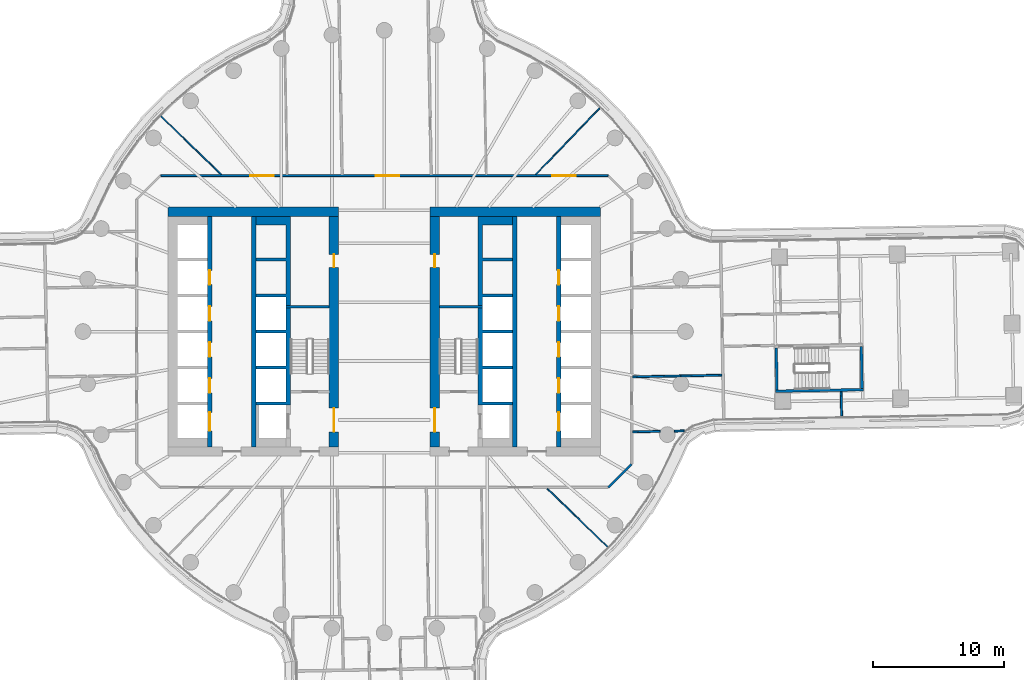
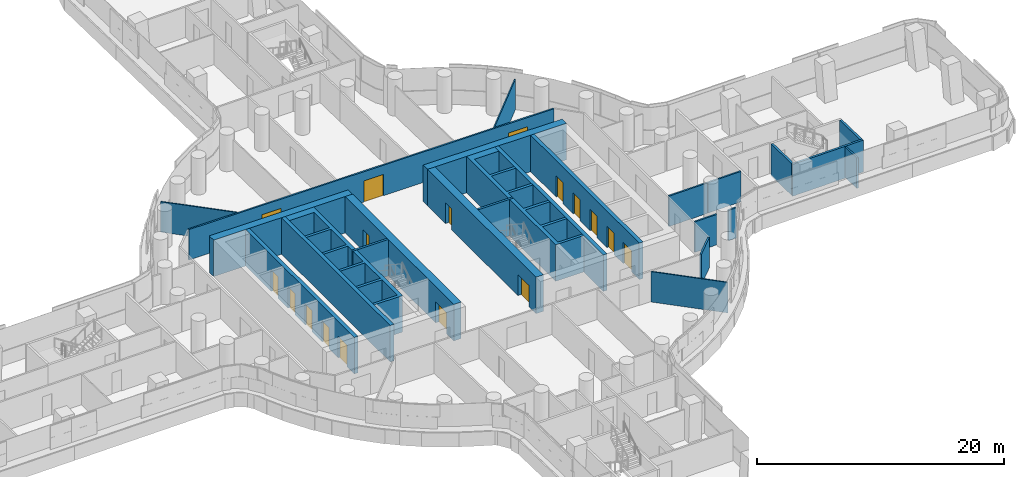
# One storey, part 21 of 31: 25 walls, 17 doors, 17 openings.
"""IFC4 building model written with IfcOpenShell, lengths in metres."""

from ifc_helpers import new_model, si_unit, direction, frame, frame_2d, origin, place, context, subcontext, project, spatial, polyline, rectangle, outline, extrude, material, layer, layer_set, type_object, element, fill, save


model = new_model("IFC4")

# Units and contexts
model_context = context("Model", 3, precision=1e-05, world=origin(), true_north=direction((0.0, 1.0)))
body_context = subcontext(model_context, "Body", "Model", "MODEL_VIEW")
ifc_project = project(units=[si_unit("LENGTHUNIT", "METRE"), si_unit("AREAUNIT", "SQUARE_METRE"), si_unit("VOLUMEUNIT", "CUBIC_METRE"), si_unit("PLANEANGLEUNIT", "RADIAN"), si_unit("MASSUNIT", "GRAM", prefix="KILO")], contexts=[model_context])

# Site, building, storey
site_placement = place(None, origin())
site = spatial("IfcSite", under=ifc_project, at=site_placement, CompositionType="ELEMENT")
building_placement = place(site_placement, origin())
building = spatial("IfcBuilding", under=site, at=building_placement, Name="Tamarind Cross Interchange Tower", CompositionType="ELEMENT")
storey_placement = place(building_placement, frame((0.0, 0.0, 37.75)))
storey = spatial("IfcBuildingStorey", under=building, at=storey_placement, Name="L07", CompositionType="ELEMENT", Elevation=37.75)

# Wall
ifc_material_1 = material(Name="Concrete C80", Category="concrete")
ifc_layer_1 = layer(ifc_material_1, 0.699951171875)
ifc_layer_set_1 = layer_set([ifc_layer_1], Name="Concrete C80")
wall_type_1 = type_object("IfcWallType", Name="Core wall 700 mm Concrete C80", PredefinedType="SHEAR", material=ifc_layer_set_1)
wall_1_placement = place(storey_placement, frame((-16.5, 9.14990234375, 0.0), z_axis=(0.0, 0.0, 1.0), x_axis=(1.0, 0.0, 0.0)))
element("IfcWall", 1, at=wall_1_placement, inside=storey, type_object=wall_type_1, Name="Core wall CWL-L07-W-NE", PredefinedType="SHEAR", context=body_context, shape_type="SweptSolid", body=[
    extrude(rectangle(XDim=13.0, YDim=0.699951171875, at=frame_2d((6.5, 0.0))), origin(), (0.0, 0.0, 1.0), 3.610107421875),
])

# Wall, openings, doors
wall_2_placement = place(storey_placement, frame((-3.85009765625, -8.800048828125, 0.0), z_axis=(0.0, 0.0, 1.0), x_axis=(0.0, 1.0, 0.0)))
wall_2 = element("IfcWall", 2, at=wall_2_placement, inside=storey, type_object=wall_type_1, Name="Core wall CWL-L07-W-IN", PredefinedType="SHEAR", context=body_context, shape_type="SweptSolid", body=[
    extrude(rectangle(XDim=17.60009765625, YDim=0.699951171875, at=frame_2d((8.800048828125, 0.0))), origin(), (0.0, 0.0, 1.0), 3.610107421875),
])
opening_1_placement = place(wall_2_placement, frame((1.14990234375, 0.0, 0.0)))
opening_1 = element("IfcOpeningElement", 3, at=opening_1_placement, cuts=wall_2, Name="Opening DCW4", PredefinedType="OPENING", context=body_context, shape_type="SweptSolid", body=[
    extrude(rectangle(XDim=1.800048828125, YDim=2.10009765625, at=frame_2d((0.89990234375, 1.050048828125))), frame((0.0, 0.35986328125, 0.0), z_axis=(0.0, -1.0, 0.0), x_axis=(1.0, 0.0, 0.0)), (0.0, 0.0, 1.0), 0.719970703125),
])
opening_2_placement = place(wall_2_placement, frame((13.699951171875, 0.0, 0.0)))
opening_2 = element("IfcOpeningElement", 4, at=opening_2_placement, cuts=wall_2, Name="Opening DCW5", PredefinedType="OPENING", context=body_context, shape_type="SweptSolid", body=[
    extrude(rectangle(XDim=1.0, YDim=2.10009765625, at=frame_2d((0.5, 1.050048828125))), frame((0.0, 0.35986328125, 0.0), z_axis=(0.0, -1.0, 0.0), x_axis=(1.0, 0.0, 0.0)), (0.0, 0.0, 1.0), 0.719970703125),
])
ifc_material_2 = material(Name="Steel, fire-resisting", Category="steel")
door_type_1 = type_object("IfcDoorType", Name="Core fire door 1000 x 2100 FD90", OperationType="SINGLE_SWING_LEFT", PredefinedType="DOOR", material=ifc_material_2)
door_1_placement = place(opening_2_placement, origin())
door_1 = element("IfcDoor", 5, at=door_1_placement, inside=storey, type_object=door_type_1, Name="L07 riser room door", OperationType="SINGLE_SWING_LEFT", OverallHeight=2.10009765625, OverallWidth=1.0, PredefinedType="DOOR", context=body_context, shape_type="SweptSolid", body=[
    extrude(rectangle(XDim=1.0, YDim=2.10009765625, at=frame_2d((0.5, 1.050048828125))), frame((0.0, 0.02490234375, 0.0), z_axis=(0.0, -1.0, 0.0), x_axis=(1.0, 0.0, 0.0)), (0.0, 0.0, 1.0), 0.050048828125),
])
fill(opening_2, door_1)
door_type_2 = type_object("IfcDoorType", Name="Core fire door 1800 x 2100 FD90", OperationType="SINGLE_SWING_LEFT", PredefinedType="DOOR", material=ifc_material_2)
door_2_placement = place(opening_1_placement, origin())
door_2 = element("IfcDoor", 6, at=door_2_placement, inside=storey, type_object=door_type_2, Name="L07 firefighting lobby door", OperationType="SINGLE_SWING_LEFT", OverallHeight=2.10009765625, OverallWidth=1.800048828125, PredefinedType="DOOR", context=body_context, shape_type="SweptSolid", body=[
    extrude(rectangle(XDim=1.800048828125, YDim=2.10009765625, at=frame_2d((0.89990234375, 1.050048828125))), frame((0.0, 0.02490234375, 0.0), z_axis=(0.0, -1.0, 0.0), x_axis=(1.0, 0.0, 0.0)), (0.0, 0.0, 1.0), 0.050048828125),
])
fill(opening_1, door_2)

# Wall
wall_3_placement = place(storey_placement, frame((16.5, 9.14990234375, 0.0), z_axis=(0.0, 0.0, 1.0), x_axis=(-1.0, 0.0, 0.0)))
element("IfcWall", 7, at=wall_3_placement, inside=storey, type_object=wall_type_1, Name="Core wall CWL-L07-E-NE", PredefinedType="SHEAR", context=body_context, shape_type="SweptSolid", body=[
    extrude(rectangle(XDim=13.0, YDim=0.699951171875, at=frame_2d((6.5, 0.0))), origin(), (0.0, 0.0, 1.0), 3.610107421875),
])

# Wall, openings, doors
wall_4_placement = place(storey_placement, frame((3.85009765625, -8.800048828125, 0.0), z_axis=(0.0, 0.0, 1.0), x_axis=(0.0, 1.0, 0.0)))
wall_4 = element("IfcWall", 8, at=wall_4_placement, inside=storey, type_object=wall_type_1, Name="Core wall CWL-L07-E-IN", PredefinedType="SHEAR", context=body_context, shape_type="SweptSolid", body=[
    extrude(rectangle(XDim=17.60009765625, YDim=0.699951171875, at=frame_2d((8.800048828125, 0.0))), origin(), (0.0, 0.0, 1.0), 3.610107421875),
])
opening_3_placement = place(wall_4_placement, frame((1.14990234375, 0.0, 0.0)))
opening_3 = element("IfcOpeningElement", 9, at=opening_3_placement, cuts=wall_4, Name="Opening DCE4", PredefinedType="OPENING", context=body_context, shape_type="SweptSolid", body=[
    extrude(rectangle(XDim=1.800048828125, YDim=2.10009765625, at=frame_2d((0.89990234375, 1.050048828125))), frame((0.0, 0.35986328125, 0.0), z_axis=(0.0, -1.0, 0.0), x_axis=(1.0, 0.0, 0.0)), (0.0, 0.0, 1.0), 0.719970703125),
])
opening_4_placement = place(wall_4_placement, frame((13.699951171875, 0.0, 0.0)))
opening_4 = element("IfcOpeningElement", 10, at=opening_4_placement, cuts=wall_4, Name="Opening DCE5", PredefinedType="OPENING", context=body_context, shape_type="SweptSolid", body=[
    extrude(rectangle(XDim=1.0, YDim=2.10009765625, at=frame_2d((0.5, 1.050048828125))), frame((0.0, 0.35986328125, 0.0), z_axis=(0.0, -1.0, 0.0), x_axis=(1.0, 0.0, 0.0)), (0.0, 0.0, 1.0), 0.719970703125),
])
door_3_placement = place(opening_4_placement, origin())
door_3 = element("IfcDoor", 11, at=door_3_placement, inside=storey, type_object=door_type_1, Name="L07 riser room door", OperationType="SINGLE_SWING_LEFT", OverallHeight=2.10009765625, OverallWidth=1.0, PredefinedType="DOOR", context=body_context, shape_type="SweptSolid", body=[
    extrude(rectangle(XDim=1.0, YDim=2.10009765625, at=frame_2d((0.5, 1.050048828125))), frame((0.0, 0.02490234375, 0.0), z_axis=(0.0, -1.0, 0.0), x_axis=(1.0, 0.0, 0.0)), (0.0, 0.0, 1.0), 0.050048828125),
])
fill(opening_4, door_3)
door_4_placement = place(opening_3_placement, origin())
door_4 = element("IfcDoor", 12, at=door_4_placement, inside=storey, type_object=door_type_2, Name="L07 firefighting lobby door", OperationType="SINGLE_SWING_LEFT", OverallHeight=2.10009765625, OverallWidth=1.800048828125, PredefinedType="DOOR", context=body_context, shape_type="SweptSolid", body=[
    extrude(rectangle(XDim=1.800048828125, YDim=2.10009765625, at=frame_2d((0.89990234375, 1.050048828125))), frame((0.0, 0.02490234375, 0.0), z_axis=(0.0, -1.0, 0.0), x_axis=(1.0, 0.0, 0.0)), (0.0, 0.0, 1.0), 0.050048828125),
])
fill(opening_3, door_4)

# Walls
ifc_layer_2 = layer(ifc_material_1, 0.199951171875)
ifc_layer_set_2 = layer_set([ifc_layer_2], Name="Concrete C80")
wall_type_2 = type_object("IfcWallType", Name="Core web wall 200 mm Concrete C80", PredefinedType="SHEAR", material=ifc_layer_set_2)
for number, where, z_axis, x_axis, name in (
    (13, (-7.5, 1.89990234375, 0.0), (0.0, 0.0, 1.0), (1.0, 0.0, 0.0), "Core wall CWL-L07-W-BD"),
    (14, (7.5, 1.89990234375, 0.0), (0.0, 0.0, 1.0), (-1.0, 0.0, 0.0), "Core wall CWL-L07-E-BD"),
):
    element("IfcWall", number, at=place(storey_placement, frame(where, z_axis=z_axis, x_axis=x_axis)), inside=storey, type_object=wall_type_2, Name=name, PredefinedType="SHEAR", context=body_context, shape_type="SweptSolid", body=[
        extrude(rectangle(XDim=3.300048828125, YDim=0.199951171875, at=frame_2d((1.64990234375, 0.0))), origin(), (0.0, 0.0, 1.0), 3.610107421875),
    ])
ifc_layer_3 = layer(ifc_material_1, 0.35009765625)
ifc_layer_set_3 = layer_set([ifc_layer_3], Name="Concrete C80")
wall_type_3 = type_object("IfcWallType", Name="Core web wall 350 mm Concrete C80", PredefinedType="SHEAR", material=ifc_layer_set_3)
wall_5_placement = place(storey_placement, origin())
element("IfcWall", 15, at=wall_5_placement, inside=storey, type_object=wall_type_3, Name="Core wall CWL-L07-W-BN", PredefinedType="SHEAR", context=body_context, shape_type="SweptSolid", body=[
    extrude(outline(polyline([(-9.800048828125, -5.375), (-9.800048828125, -5.625), (-7.5, -5.625), (-7.14990234375, -5.625), (-7.14990234375, 8.800048828125), (-7.5, 8.800048828125), (-9.800048828125, 8.800048828125), (-9.800048828125, 8.125), (-7.5, 8.125), (-7.5, 5.625), (-9.800048828125, 5.625), (-9.800048828125, 5.375), (-7.5, 5.375), (-7.5, 2.875), (-9.800048828125, 2.875), (-9.800048828125, 2.625), (-7.5, 2.625), (-7.5, 0.125), (-9.800048828125, 0.125), (-9.800048828125, -0.125), (-7.5, -0.125), (-7.5, -2.625), (-9.800048828125, -2.625), (-9.800048828125, -2.875), (-7.5, -2.875), (-7.5, -5.375), (-9.800048828125, -5.375)])), origin(), (0.0, 0.0, 1.0), 3.610107421875),
])

# Wall, openings, doors
wall_6_placement = place(storey_placement, frame((-13.324951171875, -8.800048828125, 0.0), z_axis=(0.0, 0.0, 1.0), x_axis=(0.0, 1.0, 0.0)))
wall_6 = element("IfcWall", 16, at=wall_6_placement, inside=storey, type_object=wall_type_3, Name="Core wall CWL-L07-W-LA", PredefinedType="SHEAR", context=body_context, shape_type="SweptSolid", body=[
    extrude(rectangle(XDim=17.60009765625, YDim=0.35009765625, at=frame_2d((8.800048828125, 0.0))), origin(), (0.0, 0.0, 1.0), 3.610107421875),
])
opening_5_placement = place(wall_6_placement, frame((1.22509765625, 0.0, 0.0)))
opening_5 = element("IfcOpeningElement", 17, at=opening_5_placement, cuts=wall_6, Name="Opening LD1L07", PredefinedType="OPENING", context=body_context, shape_type="SweptSolid", body=[
    extrude(rectangle(XDim=1.39990234375, YDim=2.10009765625, at=frame_2d((0.699951171875, 1.050048828125))), frame((0.0, 0.18505859375, 0.0), z_axis=(0.0, -1.0, 0.0), x_axis=(1.0, 0.0, 0.0)), (0.0, 0.0, 1.0), 0.3701171875),
])
opening_6_placement = place(wall_6_placement, frame((4.125, 0.0, 0.0)))
opening_6 = element("IfcOpeningElement", 18, at=opening_6_placement, cuts=wall_6, Name="Opening LD2L07", PredefinedType="OPENING", context=body_context, shape_type="SweptSolid", body=[
    extrude(rectangle(XDim=1.10009765625, YDim=2.10009765625, at=frame_2d((0.550048828125, 1.050048828125))), frame((0.0, 0.18505859375, 0.0), z_axis=(0.0, -1.0, 0.0), x_axis=(1.0, 0.0, 0.0)), (0.0, 0.0, 1.0), 0.3701171875),
])
opening_7_placement = place(wall_6_placement, frame((6.875, 0.0, 0.0)))
opening_7 = element("IfcOpeningElement", 19, at=opening_7_placement, cuts=wall_6, Name="Opening LD3L07", PredefinedType="OPENING", context=body_context, shape_type="SweptSolid", body=[
    extrude(rectangle(XDim=1.10009765625, YDim=2.10009765625, at=frame_2d((0.550048828125, 1.050048828125))), frame((0.0, 0.18505859375, 0.0), z_axis=(0.0, -1.0, 0.0), x_axis=(1.0, 0.0, 0.0)), (0.0, 0.0, 1.0), 0.3701171875),
])
opening_8_placement = place(wall_6_placement, frame((9.625, 0.0, 0.0)))
opening_8 = element("IfcOpeningElement", 20, at=opening_8_placement, cuts=wall_6, Name="Opening LD4L07", PredefinedType="OPENING", context=body_context, shape_type="SweptSolid", body=[
    extrude(rectangle(XDim=1.10009765625, YDim=2.10009765625, at=frame_2d((0.550048828125, 1.050048828125))), frame((0.0, 0.18505859375, 0.0), z_axis=(0.0, -1.0, 0.0), x_axis=(1.0, 0.0, 0.0)), (0.0, 0.0, 1.0), 0.3701171875),
])
opening_9_placement = place(wall_6_placement, frame((12.375, 0.0, 0.0)))
opening_9 = element("IfcOpeningElement", 21, at=opening_9_placement, cuts=wall_6, Name="Opening LD5L07", PredefinedType="OPENING", context=body_context, shape_type="SweptSolid", body=[
    extrude(rectangle(XDim=1.10009765625, YDim=2.10009765625, at=frame_2d((0.550048828125, 1.050048828125))), frame((0.0, 0.18505859375, 0.0), z_axis=(0.0, -1.0, 0.0), x_axis=(1.0, 0.0, 0.0)), (0.0, 0.0, 1.0), 0.3701171875),
])
ifc_material_3 = material(Name="Stainless steel panel", Category="steel")
door_type_3 = type_object("IfcDoorType", Name="Lift landing door 1100 x 2100 E 120", OperationType="SLIDING_TO_LEFT", PredefinedType="DOOR", material=ifc_material_3)
door_5_placement = place(opening_6_placement, origin())
door_5 = element("IfcDoor", 22, at=door_5_placement, inside=storey, type_object=door_type_3, Name="L07 landing door LF2", OperationType="SLIDING_TO_LEFT", OverallHeight=2.10009765625, OverallWidth=1.10009765625, PredefinedType="DOOR", context=body_context, shape_type="SweptSolid", body=[
    extrude(rectangle(XDim=1.10009765625, YDim=2.10009765625, at=frame_2d((0.550048828125, 1.050048828125))), frame((0.0, 0.02490234375, 0.0), z_axis=(0.0, -1.0, 0.0), x_axis=(1.0, 0.0, 0.0)), (0.0, 0.0, 1.0), 0.050048828125),
])
fill(opening_6, door_5)
door_6_placement = place(opening_7_placement, origin())
door_6 = element("IfcDoor", 23, at=door_6_placement, inside=storey, type_object=door_type_3, Name="L07 landing door LF3", OperationType="SLIDING_TO_LEFT", OverallHeight=2.10009765625, OverallWidth=1.10009765625, PredefinedType="DOOR", context=body_context, shape_type="SweptSolid", body=[
    extrude(rectangle(XDim=1.10009765625, YDim=2.10009765625, at=frame_2d((0.550048828125, 1.050048828125))), frame((0.0, 0.02490234375, 0.0), z_axis=(0.0, -1.0, 0.0), x_axis=(1.0, 0.0, 0.0)), (0.0, 0.0, 1.0), 0.050048828125),
])
fill(opening_7, door_6)
door_7_placement = place(opening_8_placement, origin())
door_7 = element("IfcDoor", 24, at=door_7_placement, inside=storey, type_object=door_type_3, Name="L07 landing door LF4", OperationType="SLIDING_TO_LEFT", OverallHeight=2.10009765625, OverallWidth=1.10009765625, PredefinedType="DOOR", context=body_context, shape_type="SweptSolid", body=[
    extrude(rectangle(XDim=1.10009765625, YDim=2.10009765625, at=frame_2d((0.550048828125, 1.050048828125))), frame((0.0, 0.02490234375, 0.0), z_axis=(0.0, -1.0, 0.0), x_axis=(1.0, 0.0, 0.0)), (0.0, 0.0, 1.0), 0.050048828125),
])
fill(opening_8, door_7)
door_8_placement = place(opening_9_placement, origin())
door_8 = element("IfcDoor", 25, at=door_8_placement, inside=storey, type_object=door_type_3, Name="L07 landing door LF5", OperationType="SLIDING_TO_LEFT", OverallHeight=2.10009765625, OverallWidth=1.10009765625, PredefinedType="DOOR", context=body_context, shape_type="SweptSolid", body=[
    extrude(rectangle(XDim=1.10009765625, YDim=2.10009765625, at=frame_2d((0.550048828125, 1.050048828125))), frame((0.0, 0.02490234375, 0.0), z_axis=(0.0, -1.0, 0.0), x_axis=(1.0, 0.0, 0.0)), (0.0, 0.0, 1.0), 0.050048828125),
])
fill(opening_9, door_8)
door_type_4 = type_object("IfcDoorType", Name="Lift landing door 1400 x 2100 E 120", OperationType="SLIDING_TO_LEFT", PredefinedType="DOOR", material=ifc_material_3)
door_9_placement = place(opening_5_placement, origin())
door_9 = element("IfcDoor", 26, at=door_9_placement, inside=storey, type_object=door_type_4, Name="L07 landing door LF1", OperationType="SLIDING_TO_LEFT", OverallHeight=2.10009765625, OverallWidth=1.39990234375, PredefinedType="DOOR", context=body_context, shape_type="SweptSolid", body=[
    extrude(rectangle(XDim=1.39990234375, YDim=2.10009765625, at=frame_2d((0.699951171875, 1.050048828125))), frame((0.0, 0.02490234375, 0.0), z_axis=(0.0, -1.0, 0.0), x_axis=(1.0, 0.0, 0.0)), (0.0, 0.0, 1.0), 0.050048828125),
])
fill(opening_5, door_9)

# Walls
wall_7_placement = place(storey_placement, frame((-9.97509765625, -8.800048828125, 0.0), z_axis=(0.0, 0.0, 1.0), x_axis=(0.0, 1.0, 0.0)))
element("IfcWall", 27, at=wall_7_placement, inside=storey, type_object=wall_type_3, Name="Core wall CWL-L07-W-LB", PredefinedType="SHEAR", context=body_context, shape_type="SweptSolid", body=[
    extrude(rectangle(XDim=17.60009765625, YDim=0.35009765625, at=frame_2d((8.800048828125, 0.0))), origin(), (0.0, 0.0, 1.0), 3.610107421875),
])
wall_8_placement = place(storey_placement, origin())
element("IfcWall", 28, at=wall_8_placement, inside=storey, type_object=wall_type_3, Name="Core wall CWL-L07-E-BN", PredefinedType="SHEAR", context=body_context, shape_type="SweptSolid", body=[
    extrude(outline(polyline([(9.800048828125, -5.375), (7.5, -5.375), (7.5, -2.875), (9.800048828125, -2.875), (9.800048828125, -2.625), (7.5, -2.625), (7.5, -0.125), (9.800048828125, -0.125), (9.800048828125, 0.125), (7.5, 0.125), (7.5, 2.625), (9.800048828125, 2.625), (9.800048828125, 2.875), (7.5, 2.875), (7.5, 5.375), (9.800048828125, 5.375), (9.800048828125, 5.625), (7.5, 5.625), (7.5, 8.125), (9.800048828125, 8.125), (9.800048828125, 8.800048828125), (7.5, 8.800048828125), (7.14990234375, 8.800048828125), (7.14990234375, -5.625), (7.5, -5.625), (9.800048828125, -5.625), (9.800048828125, -5.375)])), origin(), (0.0, 0.0, 1.0), 3.610107421875),
])

# Wall, openings, doors
wall_9_placement = place(storey_placement, frame((13.324951171875, -8.800048828125, 0.0), z_axis=(0.0, 0.0, 1.0), x_axis=(0.0, 1.0, 0.0)))
wall_9 = element("IfcWall", 29, at=wall_9_placement, inside=storey, type_object=wall_type_3, Name="Core wall CWL-L07-E-LA", PredefinedType="SHEAR", context=body_context, shape_type="SweptSolid", body=[
    extrude(rectangle(XDim=17.60009765625, YDim=0.35009765625, at=frame_2d((8.800048828125, 0.0))), origin(), (0.0, 0.0, 1.0), 3.610107421875),
])
opening_10_placement = place(wall_9_placement, frame((1.22509765625, 0.0, 0.0)))
opening_10 = element("IfcOpeningElement", 30, at=opening_10_placement, cuts=wall_9, Name="Opening LD13L07", PredefinedType="OPENING", context=body_context, shape_type="SweptSolid", body=[
    extrude(rectangle(XDim=1.39990234375, YDim=2.10009765625, at=frame_2d((0.699951171875, 1.050048828125))), frame((0.0, 0.18505859375, 0.0), z_axis=(0.0, -1.0, 0.0), x_axis=(1.0, 0.0, 0.0)), (0.0, 0.0, 1.0), 0.3701171875),
])
opening_11_placement = place(wall_9_placement, frame((4.125, 0.0, 0.0)))
opening_11 = element("IfcOpeningElement", 31, at=opening_11_placement, cuts=wall_9, Name="Opening LD14L07", PredefinedType="OPENING", context=body_context, shape_type="SweptSolid", body=[
    extrude(rectangle(XDim=1.10009765625, YDim=2.10009765625, at=frame_2d((0.550048828125, 1.050048828125))), frame((0.0, 0.18505859375, 0.0), z_axis=(0.0, -1.0, 0.0), x_axis=(1.0, 0.0, 0.0)), (0.0, 0.0, 1.0), 0.3701171875),
])
opening_12_placement = place(wall_9_placement, frame((6.875, 0.0, 0.0)))
opening_12 = element("IfcOpeningElement", 32, at=opening_12_placement, cuts=wall_9, Name="Opening LD15L07", PredefinedType="OPENING", context=body_context, shape_type="SweptSolid", body=[
    extrude(rectangle(XDim=1.10009765625, YDim=2.10009765625, at=frame_2d((0.550048828125, 1.050048828125))), frame((0.0, 0.18505859375, 0.0), z_axis=(0.0, -1.0, 0.0), x_axis=(1.0, 0.0, 0.0)), (0.0, 0.0, 1.0), 0.3701171875),
])
opening_13_placement = place(wall_9_placement, frame((9.625, 0.0, 0.0)))
opening_13 = element("IfcOpeningElement", 33, at=opening_13_placement, cuts=wall_9, Name="Opening LD16L07", PredefinedType="OPENING", context=body_context, shape_type="SweptSolid", body=[
    extrude(rectangle(XDim=1.10009765625, YDim=2.10009765625, at=frame_2d((0.550048828125, 1.050048828125))), frame((0.0, 0.18505859375, 0.0), z_axis=(0.0, -1.0, 0.0), x_axis=(1.0, 0.0, 0.0)), (0.0, 0.0, 1.0), 0.3701171875),
])
opening_14_placement = place(wall_9_placement, frame((12.375, 0.0, 0.0)))
opening_14 = element("IfcOpeningElement", 34, at=opening_14_placement, cuts=wall_9, Name="Opening LD17L07", PredefinedType="OPENING", context=body_context, shape_type="SweptSolid", body=[
    extrude(rectangle(XDim=1.10009765625, YDim=2.10009765625, at=frame_2d((0.550048828125, 1.050048828125))), frame((0.0, 0.18505859375, 0.0), z_axis=(0.0, -1.0, 0.0), x_axis=(1.0, 0.0, 0.0)), (0.0, 0.0, 1.0), 0.3701171875),
])
door_10_placement = place(opening_11_placement, origin())
door_10 = element("IfcDoor", 35, at=door_10_placement, inside=storey, type_object=door_type_3, Name="L07 landing door LF14", OperationType="SLIDING_TO_LEFT", OverallHeight=2.10009765625, OverallWidth=1.10009765625, PredefinedType="DOOR", context=body_context, shape_type="SweptSolid", body=[
    extrude(rectangle(XDim=1.10009765625, YDim=2.10009765625, at=frame_2d((0.550048828125, 1.050048828125))), frame((0.0, 0.02490234375, 0.0), z_axis=(0.0, -1.0, 0.0), x_axis=(1.0, 0.0, 0.0)), (0.0, 0.0, 1.0), 0.050048828125),
])
fill(opening_11, door_10)
door_11_placement = place(opening_12_placement, origin())
door_11 = element("IfcDoor", 36, at=door_11_placement, inside=storey, type_object=door_type_3, Name="L07 landing door LF15", OperationType="SLIDING_TO_LEFT", OverallHeight=2.10009765625, OverallWidth=1.10009765625, PredefinedType="DOOR", context=body_context, shape_type="SweptSolid", body=[
    extrude(rectangle(XDim=1.10009765625, YDim=2.10009765625, at=frame_2d((0.550048828125, 1.050048828125))), frame((0.0, 0.02490234375, 0.0), z_axis=(0.0, -1.0, 0.0), x_axis=(1.0, 0.0, 0.0)), (0.0, 0.0, 1.0), 0.050048828125),
])
fill(opening_12, door_11)
door_12_placement = place(opening_13_placement, origin())
door_12 = element("IfcDoor", 37, at=door_12_placement, inside=storey, type_object=door_type_3, Name="L07 landing door LF16", OperationType="SLIDING_TO_LEFT", OverallHeight=2.10009765625, OverallWidth=1.10009765625, PredefinedType="DOOR", context=body_context, shape_type="SweptSolid", body=[
    extrude(rectangle(XDim=1.10009765625, YDim=2.10009765625, at=frame_2d((0.550048828125, 1.050048828125))), frame((0.0, 0.02490234375, 0.0), z_axis=(0.0, -1.0, 0.0), x_axis=(1.0, 0.0, 0.0)), (0.0, 0.0, 1.0), 0.050048828125),
])
fill(opening_13, door_12)
door_13_placement = place(opening_14_placement, origin())
door_13 = element("IfcDoor", 38, at=door_13_placement, inside=storey, type_object=door_type_3, Name="L07 landing door LF17", OperationType="SLIDING_TO_LEFT", OverallHeight=2.10009765625, OverallWidth=1.10009765625, PredefinedType="DOOR", context=body_context, shape_type="SweptSolid", body=[
    extrude(rectangle(XDim=1.10009765625, YDim=2.10009765625, at=frame_2d((0.550048828125, 1.050048828125))), frame((0.0, 0.02490234375, 0.0), z_axis=(0.0, -1.0, 0.0), x_axis=(1.0, 0.0, 0.0)), (0.0, 0.0, 1.0), 0.050048828125),
])
fill(opening_14, door_13)
door_14_placement = place(opening_10_placement, origin())
door_14 = element("IfcDoor", 39, at=door_14_placement, inside=storey, type_object=door_type_4, Name="L07 landing door LF13", OperationType="SLIDING_TO_LEFT", OverallHeight=2.10009765625, OverallWidth=1.39990234375, PredefinedType="DOOR", context=body_context, shape_type="SweptSolid", body=[
    extrude(rectangle(XDim=1.39990234375, YDim=2.10009765625, at=frame_2d((0.699951171875, 1.050048828125))), frame((0.0, 0.02490234375, 0.0), z_axis=(0.0, -1.0, 0.0), x_axis=(1.0, 0.0, 0.0)), (0.0, 0.0, 1.0), 0.050048828125),
])
fill(opening_10, door_14)

# Walls
wall_10_placement = place(storey_placement, frame((9.97509765625, -8.800048828125, 0.0), z_axis=(0.0, 0.0, 1.0), x_axis=(0.0, 1.0, 0.0)))
element("IfcWall", 40, at=wall_10_placement, inside=storey, type_object=wall_type_3, Name="Core wall CWL-L07-E-LB", PredefinedType="SHEAR", context=body_context, shape_type="SweptSolid", body=[
    extrude(rectangle(XDim=17.60009765625, YDim=0.35009765625, at=frame_2d((8.800048828125, 0.0))), origin(), (0.0, 0.0, 1.0), 3.610107421875),
])
ifc_material_4 = material(Name="Gypsum board partition on steel studs", Category="steel")
ifc_layer_4 = layer(ifc_material_4, 0.10009765625)
ifc_layer_set_4 = layer_set([ifc_layer_4], Name="Gypsum board partition on steel studs")
wall_type_4 = type_object("IfcWallType", Name="Partition 100 mm EI 90", PredefinedType="PARTITIONING", material=ifc_layer_set_4)
wall_11_placement = place(storey_placement, frame((-17.044189453125, 16.43408203125, 0.0), z_axis=(0.0, 0.0, 1.0), x_axis=(0.719851105898, -0.694128507797, 0.0)))
element("IfcWall", 41, at=wall_11_placement, inside=storey, type_object=wall_type_4, Name="Partition L07-034", PredefinedType="PARTITIONING", context=body_context, shape_type="SweptSolid", body=[
    extrude(rectangle(XDim=6.397216796875, YDim=0.10009765625, at=frame_2d((3.19873046875, 0.0))), origin(), (0.0, 0.0, 1.0), 3.010009765625),
])
wall_12_placement = place(storey_placement, frame((12.4345703125, -11.991455078125, 0.0), z_axis=(0.0, 0.0, 1.0), x_axis=(0.719859947161, -0.694119338784, 0.0)))
element("IfcWall", 42, at=wall_12_placement, inside=storey, type_object=wall_type_4, Name="Partition L07-035", PredefinedType="PARTITIONING", context=body_context, shape_type="SweptSolid", body=[
    extrude(rectangle(XDim=6.402099609375, YDim=0.10009765625, at=frame_2d((3.201171875, 0.0))), origin(), (0.0, 0.0, 1.0), 3.010009765625),
])
wall_13_placement = place(storey_placement, frame((11.564697265625, 11.9931640625, 0.0), z_axis=(0.0, 0.0, 1.0), x_axis=(0.694132350754, 0.719847400243, 0.0)))
element("IfcWall", 43, at=wall_13_placement, inside=storey, type_object=wall_type_4, Name="Partition L07-077", PredefinedType="PARTITIONING", context=body_context, shape_type="SweptSolid", body=[
    extrude(rectangle(XDim=7.01611328125, YDim=0.10009765625, at=frame_2d((3.508056640625, 0.0))), origin(), (0.0, 0.0, 1.0), 3.010009765625),
])
ifc_layer_5 = layer(ifc_material_4, 0.14990234375)
ifc_layer_set_5 = layer_set([ifc_layer_5], Name="Gypsum board partition on steel studs")
wall_type_5 = type_object("IfcWallType", Name="Partition 150 mm EI 120", PredefinedType="PARTITIONING", material=ifc_layer_set_5)
wall_14_placement = place(storey_placement, frame((34.886474609375, -4.605224609375, 0.0), z_axis=(0.0, 0.0, 1.0), x_axis=(0.018248011459, -0.999833491176, 0.0)))
element("IfcWall", 44, at=wall_14_placement, inside=storey, type_object=wall_type_5, Name="Partition L07-031", PredefinedType="PARTITIONING", context=body_context, shape_type="SweptSolid", body=[
    extrude(rectangle(XDim=1.859619140625, YDim=0.14990234375, at=frame_2d((0.9296875, 0.0))), origin(), (0.0, 0.0, 1.0), 3.010009765625),
])

# Wall, openings, doors
wall_15_placement = place(storey_placement, frame((-17.06494140625, 11.89990234375, 0.0), z_axis=(0.0, 0.0, 1.0), x_axis=(1.0, 0.0, 0.0)))
wall_15 = element("IfcWall", 45, at=wall_15_placement, inside=storey, type_object=wall_type_5, Name="Partition L07-037", PredefinedType="PARTITIONING", context=body_context, shape_type="SweptSolid", body=[
    extrude(rectangle(XDim=34.1650390625, YDim=0.14990234375, at=frame_2d((17.08251953125, 0.0))), origin(), (0.0, 0.0, 1.0), 3.010009765625),
])
opening_15_placement = place(wall_15_placement, frame((16.39892578125, 0.0, 0.0)))
opening_15 = element("IfcOpeningElement", 46, at=opening_15_placement, cuts=wall_15, Name="Opening D20", PredefinedType="OPENING", context=body_context, shape_type="SweptSolid", body=[
    extrude(rectangle(XDim=1.800048828125, YDim=2.10009765625, at=frame_2d((0.89990234375, 1.050048828125))), frame((0.0, 0.0849609375, 0.0), z_axis=(0.0, -1.0, 0.0), x_axis=(1.0, 0.0, 0.0)), (0.0, 0.0, 1.0), 0.169921875),
])
opening_16_placement = place(wall_15_placement, frame((29.888916015625, 0.0, 0.0)))
opening_16 = element("IfcOpeningElement", 47, at=opening_16_placement, cuts=wall_15, Name="Opening D21", PredefinedType="OPENING", context=body_context, shape_type="SweptSolid", body=[
    extrude(rectangle(XDim=1.800048828125, YDim=2.10009765625, at=frame_2d((0.89990234375, 1.050048828125))), frame((0.0, 0.0849609375, 0.0), z_axis=(0.0, -1.0, 0.0), x_axis=(1.0, 0.0, 0.0)), (0.0, 0.0, 1.0), 0.169921875),
])
opening_17_placement = place(wall_15_placement, frame((6.822998046875, 0.0, 0.0)))
opening_17 = element("IfcOpeningElement", 48, at=opening_17_placement, cuts=wall_15, Name="Opening D22", PredefinedType="OPENING", context=body_context, shape_type="SweptSolid", body=[
    extrude(rectangle(XDim=1.800048828125, YDim=2.10009765625, at=frame_2d((0.89990234375, 1.050048828125))), frame((0.0, 0.0849609375, 0.0), z_axis=(0.0, -1.0, 0.0), x_axis=(1.0, 0.0, 0.0)), (0.0, 0.0, 1.0), 0.169921875),
])
ifc_material_5 = material(Name="Fire-resisting door set")
door_type_5 = type_object("IfcDoorType", Name="Interior door 1800 x 2100 FD60S", OperationType="DOUBLE_DOOR_SINGLE_SWING", PredefinedType="DOOR", material=ifc_material_5)
door_15_placement = place(opening_15_placement, frame((1.800048828125, 0.0, 0.0), z_axis=(0.0, 0.0, 1.0), x_axis=(-1.0, 0.0, 0.0)))
door_15 = element("IfcDoor", 49, at=door_15_placement, inside=storey, type_object=door_type_5, Name="Door D20", OperationType="DOUBLE_DOOR_SINGLE_SWING", OverallHeight=2.10009765625, OverallWidth=1.800048828125, PredefinedType="DOOR", context=body_context, shape_type="SweptSolid", body=[
    extrude(rectangle(XDim=1.800048828125, YDim=2.10009765625, at=frame_2d((0.89990234375, 1.050048828125))), frame((0.0, 0.02490234375, 0.0), z_axis=(0.0, -1.0, 0.0), x_axis=(1.0, 0.0, 0.0)), (0.0, 0.0, 1.0), 0.050048828125),
])
fill(opening_15, door_15)
door_16_placement = place(opening_16_placement, origin())
door_16 = element("IfcDoor", 50, at=door_16_placement, inside=storey, type_object=door_type_5, Name="Door D21", OperationType="DOUBLE_DOOR_SINGLE_SWING", OverallHeight=2.10009765625, OverallWidth=1.800048828125, PredefinedType="DOOR", context=body_context, shape_type="SweptSolid", body=[
    extrude(rectangle(XDim=1.800048828125, YDim=2.10009765625, at=frame_2d((0.89990234375, 1.050048828125))), frame((0.0, 0.02490234375, 0.0), z_axis=(0.0, -1.0, 0.0), x_axis=(1.0, 0.0, 0.0)), (0.0, 0.0, 1.0), 0.050048828125),
])
fill(opening_16, door_16)
door_17_placement = place(opening_17_placement, origin())
door_17 = element("IfcDoor", 51, at=door_17_placement, inside=storey, type_object=door_type_5, Name="Door D22", OperationType="DOUBLE_DOOR_SINGLE_SWING", OverallHeight=2.10009765625, OverallWidth=1.800048828125, PredefinedType="DOOR", context=body_context, shape_type="SweptSolid", body=[
    extrude(rectangle(XDim=1.800048828125, YDim=2.10009765625, at=frame_2d((0.89990234375, 1.050048828125))), frame((0.0, 0.02490234375, 0.0), z_axis=(0.0, -1.0, 0.0), x_axis=(1.0, 0.0, 0.0)), (0.0, 0.0, 1.0), 0.050048828125),
])
fill(opening_17, door_17)

# Walls
wall_16_placement = place(storey_placement, frame((18.9599609375, -3.455810546875, 0.0), z_axis=(0.0, 0.0, 1.0), x_axis=(0.999834091985, 0.01821506258, 0.0)))
element("IfcWall", 52, at=wall_16_placement, inside=storey, type_object=wall_type_5, Name="Partition L07-064", PredefinedType="PARTITIONING", context=body_context, shape_type="SweptSolid", body=[
    extrude(rectangle(XDim=3.67236328125, YDim=0.14990234375, at=frame_2d((1.836181640625, 0.0))), origin(), (0.0, 0.0, 1.0), 3.010009765625),
])
wall_17_placement = place(storey_placement, frame((22.6669921875, -3.38818359375, 0.0), z_axis=(0.0, 0.0, 1.0), x_axis=(0.999834076392, 0.018215918464, 0.0)))
element("IfcWall", 53, at=wall_17_placement, inside=storey, type_object=wall_type_5, Name="Partition L07-065", PredefinedType="PARTITIONING", context=body_context, shape_type="SweptSolid", body=[
    extrude(rectangle(XDim=3.109375, YDim=0.14990234375, at=frame_2d((1.5546875, 0.0))), origin(), (0.0, 0.0, 1.0), 3.010009765625),
])
wall_18_placement = place(storey_placement, frame((18.9599609375, -7.656982421875, 0.0), z_axis=(0.0, 0.0, 1.0), x_axis=(0.999832834064, 0.018283980067, 0.0)))
element("IfcWall", 54, at=wall_18_placement, inside=storey, type_object=wall_type_5, Name="Partition L07-070", PredefinedType="PARTITIONING", context=body_context, shape_type="SweptSolid", body=[
    extrude(rectangle(XDim=2.109619140625, YDim=0.14990234375, at=frame_2d((1.0546875, 0.0))), origin(), (0.0, 0.0, 1.0), 3.010009765625),
])
wall_19_placement = place(storey_placement, frame((22.151123046875, -7.5986328125, 0.0), z_axis=(0.0, 0.0, 1.0), x_axis=(0.999834536949, 0.018190621855, 0.0)))
element("IfcWall", 55, at=wall_19_placement, inside=storey, type_object=wall_type_5, Name="Partition L07-071", PredefinedType="PARTITIONING", context=body_context, shape_type="SweptSolid", body=[
    extrude(rectangle(XDim=0.751708984375, YDim=0.14990234375, at=frame_2d((0.3759765625, 0.0))), origin(), (0.0, 0.0, 1.0), 3.010009765625),
])
wall_20_placement = place(storey_placement, frame((17.10009765625, -11.89990234375, 0.0), z_axis=(0.0, 0.0, 1.0), x_axis=(0.707106781187, 0.707106781187, 0.0)))
element("IfcWall", 56, at=wall_20_placement, inside=storey, type_object=wall_type_5, Name="Partition L07-075", PredefinedType="PARTITIONING", context=body_context, shape_type="SweptSolid", body=[
    extrude(rectangle(XDim=2.50537109375, YDim=0.14990234375, at=frame_2d((1.252685546875, 0.0))), origin(), (0.0, 0.0, 1.0), 3.010009765625),
])
ifc_material_6 = material(Name="Concrete C40", Category="concrete")
ifc_layer_6 = layer(ifc_material_6, 0.199951171875)
ifc_layer_set_6 = layer_set([ifc_layer_6], Name="Concrete C40")
wall_type_6 = type_object("IfcWallType", Name="Stair shaft wall 200 mm Concrete C40", PredefinedType="SHEAR", material=ifc_layer_set_6)
wall_21_placement = place(storey_placement, frame((29.884521484375, -4.556884765625, -0.139892578125), z_axis=(0.0, 0.0, 1.0), x_axis=(0.999834004252, 0.01821987762, 0.0)))
element("IfcWall", 57, at=wall_21_placement, inside=storey, type_object=wall_type_6, Name="Core wall CWL-L07-ST3-C", PredefinedType="SHEAR", context=body_context, shape_type="SweptSolid", body=[
    extrude(rectangle(XDim=6.699951171875, YDim=0.199951171875, at=frame_2d((3.35009765625, 0.0))), origin(), (0.0, 0.0, 1.0), 3.14990234375),
])
wall_22_placement = place(storey_placement, frame((29.982666015625, -4.455078125, -0.139892578125), z_axis=(0.0, 0.0, 1.0), x_axis=(-0.018234281897, 0.999833741661, 0.0)))
element("IfcWall", 58, at=wall_22_placement, inside=storey, type_object=wall_type_6, Name="Core wall CWL-L07-ST3-CE", PredefinedType="SHEAR", context=body_context, shape_type="SweptSolid", body=[
    extrude(rectangle(XDim=3.199951171875, YDim=0.199951171875, at=frame_2d((1.60009765625, 0.0))), origin(), (0.0, 0.0, 1.0), 3.14990234375),
])
wall_23_placement = place(storey_placement, frame((0.0, 0.0, -0.139892578125)))
element("IfcWall", 59, at=wall_23_placement, inside=storey, type_object=wall_type_6, Name="Core wall CWL-L07-ST3-CF", PredefinedType="SHEAR", context=body_context, shape_type="SweptSolid", body=[
    extrude(outline(polyline([(36.381591796875, -4.33837890625), (36.58154296875, -4.334716796875), (36.523193359375, -1.135498046875), (36.3232421875, -1.138916015625), (36.381591796875, -4.33837890625)])), origin(), (0.0, 0.0, 1.0), 3.14990234375),
])

save(model, "model.ifc")
